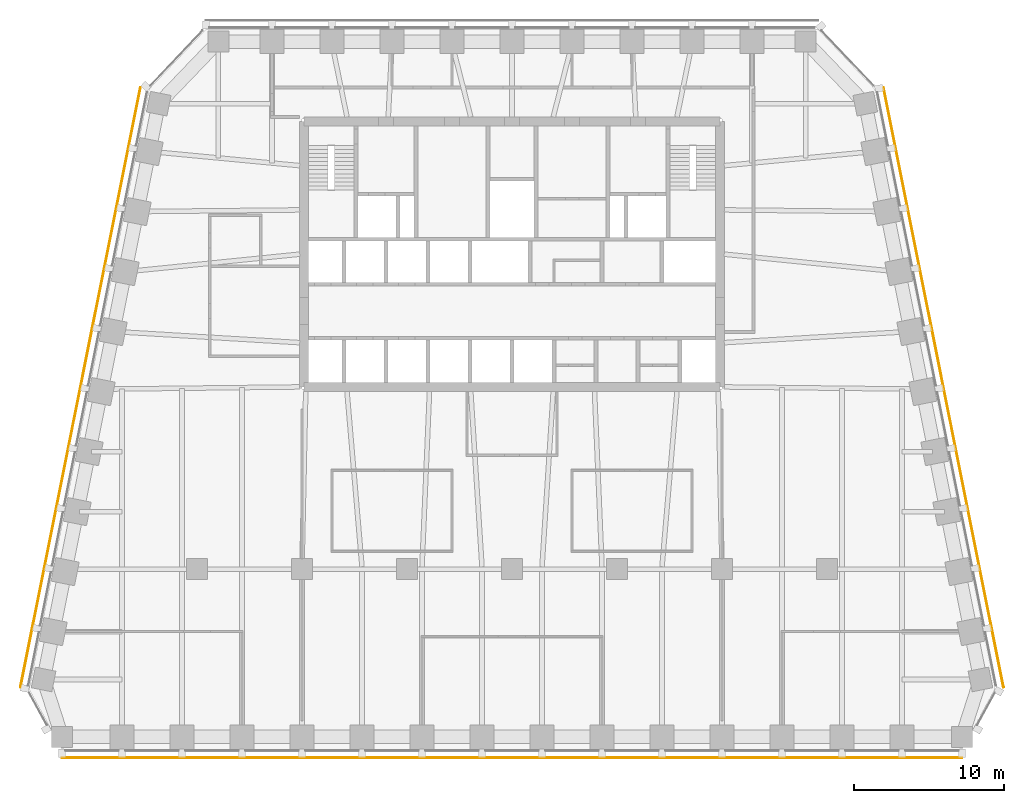
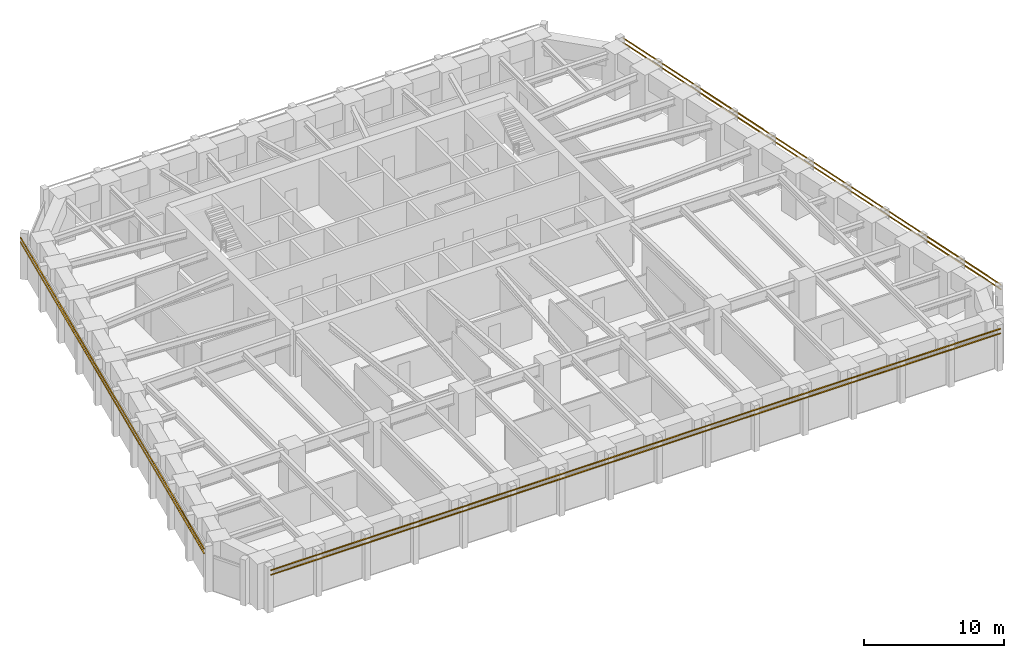
# One storey, part 9 of 10: 6 shading devices.
"""IFC4 building model written with IfcOpenShell, lengths in metres."""

from ifc_helpers import new_model, si_unit, direction, frame, origin, origin_2d, place, context, subcontext, project, spatial, rectangle, extrude, material, material_profile, profile_set, type_object, element, save


model = new_model("IFC4")

# Units and contexts
model_context = context("Model", 3, precision=1e-05, world=origin(), true_north=direction((0.0, 1.0)))
body_context = subcontext(model_context, "Body", "Model", "MODEL_VIEW")
ifc_project = project(units=[si_unit("LENGTHUNIT", "METRE"), si_unit("AREAUNIT", "SQUARE_METRE"), si_unit("VOLUMEUNIT", "CUBIC_METRE"), si_unit("PLANEANGLEUNIT", "RADIAN"), si_unit("MASSUNIT", "GRAM", prefix="KILO")], contexts=[model_context])

# Site, building, storey
site_placement = place(None, origin())
site = spatial("IfcSite", under=ifc_project, at=site_placement, CompositionType="ELEMENT")
building_placement = place(site_placement, origin())
building = spatial("IfcBuilding", under=site, at=building_placement, Name="Isbrekke Arena Tower", CompositionType="ELEMENT")
storey_placement = place(building_placement, frame((0.0, 0.0, 238.0)))
storey = spatial("IfcBuildingStorey", under=building, at=storey_placement, Name="L55", CompositionType="ELEMENT", Elevation=238.0)

# Shading devices
ifc_material = material(Name="Terracotta", Category="masonry")
ifc_material_profile = material_profile(ifc_material, rectangle(XDim=0.06005859375, YDim=0.06005859375, at=origin_2d()), Name="BAGUETTE 60X60")
ifc_profile_set = profile_set([ifc_material_profile], Name="Terracotta")
shading_device_type = type_object("IfcShadingDeviceType", Name="BG1 TERRACOTTA BAGUETTE 60 x 60", PredefinedType="USERDEFINED", material=ifc_profile_set)
for number, where, z_axis, x_axis, name in (
    (1, (-30.0, -18.580078125, 3.280029296875), (1.0, 0.0, 0.0), (0.0, 1.0, 0.0), "BG1 terracotta baguette S1 L55"),
    (2, (-30.0, -18.580078125, 3.679931640625), (1.0, 0.0, 0.0), (0.0, 1.0, 0.0), "BG1 terracotta baguette S2 L55"),
):
    element("IfcShadingDevice", number, at=place(storey_placement, frame(where, z_axis=z_axis, x_axis=x_axis)), inside=storey, type_object=shading_device_type, Name=name, ObjectType="TERRACOTTA BAGUETTE", PredefinedType="USERDEFINED", context=body_context, shape_type="SweptSolid", body=[
        extrude(rectangle(XDim=0.06005859375, YDim=0.06005859375, at=origin_2d()), origin(), (0.0, 0.0, 1.0), 60.0),
    ])
for number, where, z_axis, x_axis, name in (
    (3, (32.768798828125, -13.88623046875, 3.280029296875), (-0.196116135138, 0.980580675691, 0.0), (-0.980580675691, -0.196116135138, 0.0), "BG1 terracotta baguette E1 L55"),
    (4, (32.768798828125, -13.88623046875, 3.679931640625), (-0.196116135138, 0.980580675691, 0.0), (-0.980580675691, -0.196116135138, 0.0), "BG1 terracotta baguette E2 L55"),
    (5, (-24.768798828125, 26.11376953125, 3.280029296875), (-0.196116135138, -0.980580675691, 0.0), (0.980580675691, -0.196116135138, 0.0), "BG1 terracotta baguette W1 L55"),
    (6, (-24.768798828125, 26.11376953125, 3.679931640625), (-0.196116135138, -0.980580675691, 0.0), (0.980580675691, -0.196116135138, 0.0), "BG1 terracotta baguette W2 L55"),
):
    element("IfcShadingDevice", number, at=place(storey_placement, frame(where, z_axis=z_axis, x_axis=x_axis)), inside=storey, type_object=shading_device_type, Name=name, ObjectType="TERRACOTTA BAGUETTE", PredefinedType="USERDEFINED", context=body_context, shape_type="SweptSolid", body=[
        extrude(rectangle(XDim=0.06005859375, YDim=0.06005859375, at=origin_2d()), origin(), (0.0, 0.0, 1.0), 40.792236328125),
    ])

save(model, "model.ifc")
